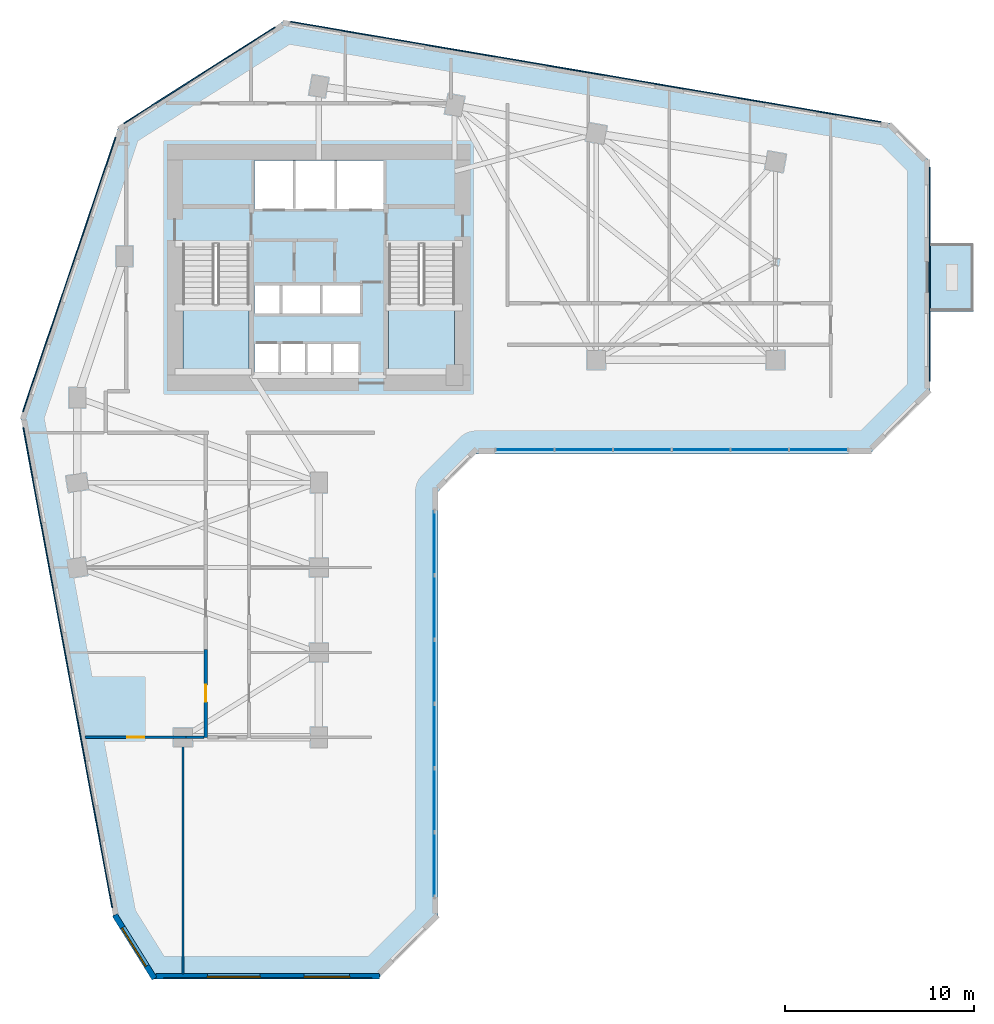
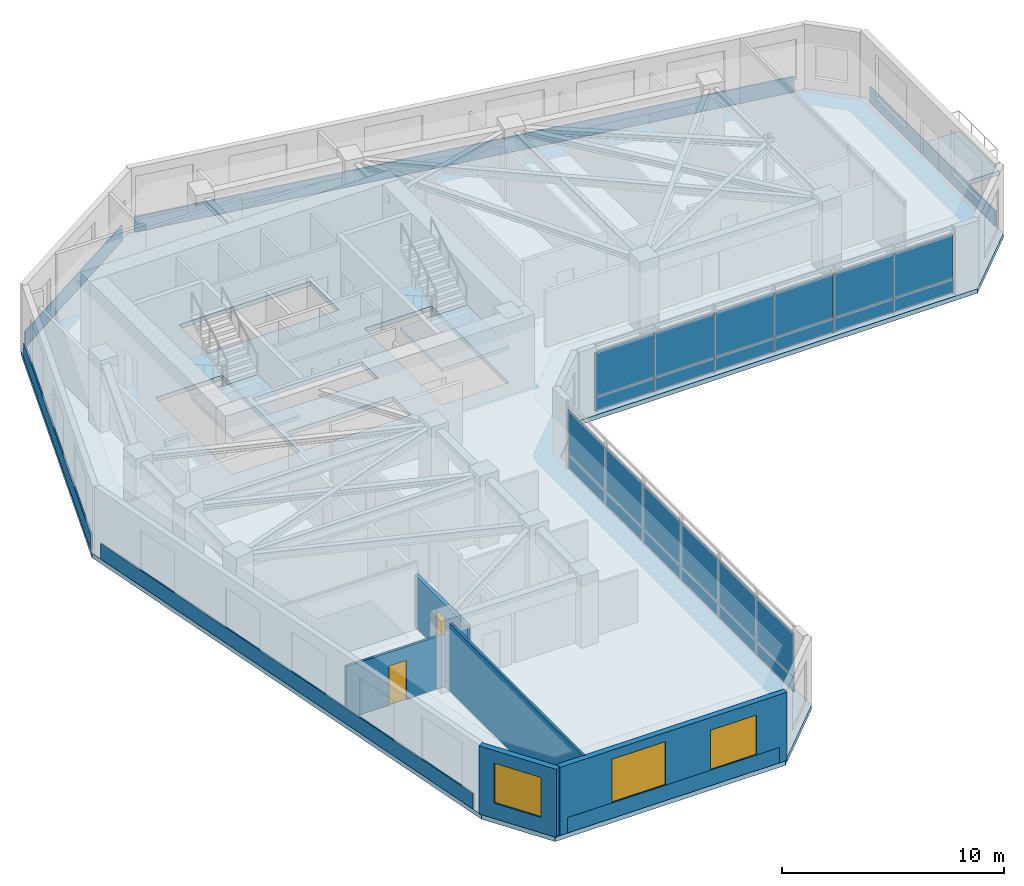
# One storey, part 4 of 11: 30 plates, 6 walls, 4 slabs, 3 windows, 2 doors, 5 openings, 4 elements without a shape of their own.
"""IFC4 building model written with IfcOpenShell, lengths in metres."""

from ifc_helpers import new_model, si_unit, direction, frame, frame_2d, origin, place, context, subcontext, project, spatial, polyline, rectangle, outline, extrude, source, transform, mapped, material, layer, layer_set, type_object, element, fill, aggregate, save


model = new_model("IFC4")

# Units and contexts
model_context = context("Model", 3, precision=1e-05, world=origin(), true_north=direction((0.0, 1.0)))
body_context = subcontext(model_context, "Body", "Model", "MODEL_VIEW")
ifc_project = project(units=[si_unit("LENGTHUNIT", "METRE"), si_unit("AREAUNIT", "SQUARE_METRE"), si_unit("VOLUMEUNIT", "CUBIC_METRE"), si_unit("PLANEANGLEUNIT", "RADIAN"), si_unit("MASSUNIT", "GRAM", prefix="KILO")], contexts=[model_context])

# Site, building, storey
site_placement = place(None, origin())
site = spatial("IfcSite", under=ifc_project, at=site_placement, CompositionType="ELEMENT")
building_placement = place(site_placement, origin())
building = spatial("IfcBuilding", under=site, at=building_placement, Name="Calvemar Wedge Station Tower", CompositionType="ELEMENT")
storey_placement = place(building_placement, frame((0.0, 0.0, 83.0)))
storey = spatial("IfcBuildingStorey", under=building, at=storey_placement, Name="L20", CompositionType="ELEMENT", Elevation=83.0)

# Curtain wall, plates
ifc_material_1 = material(Name="Anodised aluminium 6063-T6", Category="aluminium")
curtain_wall_type = type_object("IfcCurtainWallType", Name="CW1", PredefinedType="NOTDEFINED", material=ifc_material_1)
curtain_wall_1_placement = place(storey_placement, origin())
curtain_wall_1 = element("IfcCurtainWall", 1, at=curtain_wall_1_placement, inside=storey, type_object=curtain_wall_type, Name="Storey L20 CW1 Recessed Unitised Curtain Wall 4", PredefinedType="NOTDEFINED")
ifc_material_2 = material(Name="Low-E laminated insulated glass", Category="glass")
ifc_layer_1 = layer(ifc_material_2, 0.028076171875)
ifc_layer_set_1 = layer_set([ifc_layer_1], Name="Low-E laminated insulated glass")
plate_type_1 = type_object("IfcPlateType", Name="CW1-GLZ", PredefinedType="CURTAIN_PANEL", material=ifc_layer_set_1)
plate_1_placement = place(storey_placement, frame((29.91796875, 6.580078125, 0.8701171875), z_axis=(0.0, 0.0, 1.0), x_axis=(0.0, 1.0, 0.0)))
plate_1 = element("IfcPlate", 2, at=plate_1_placement, type_object=plate_type_1, Name="CW1 vision glass panel 1", PredefinedType="CURTAIN_PANEL", context=body_context, shape_type="SweptSolid", body=[
    extrude(rectangle(XDim=3.36865234375, YDim=0.028076171875, at=frame_2d((1.684326171875, 0.0))), origin(), (0.0, 0.0, 1.0), 2.409912109375),
])
plate_2_placement = place(storey_placement, frame((29.91796875, 9.98486328125, 0.8701171875), z_axis=(0.0, 0.0, 1.0), x_axis=(0.0, 1.0, 0.0)))
plate_2 = element("IfcPlate", 3, at=plate_2_placement, type_object=plate_type_1, Name="CW1 vision glass panel 2", PredefinedType="CURTAIN_PANEL", context=body_context, shape_type="SweptSolid", body=[
    extrude(rectangle(XDim=3.36865234375, YDim=0.028076171875, at=frame_2d((1.684326171875, 0.0))), origin(), (0.0, 0.0, 1.0), 2.409912109375),
])
plate_3_placement = place(storey_placement, frame((29.91796875, 13.389404296875, 0.8701171875), z_axis=(0.0, 0.0, 1.0), x_axis=(0.0, 1.0, 0.0)))
plate_3 = element("IfcPlate", 4, at=plate_3_placement, type_object=plate_type_1, Name="CW1 vision glass panel 3", PredefinedType="CURTAIN_PANEL", context=body_context, shape_type="SweptSolid", body=[
    extrude(rectangle(XDim=3.36865234375, YDim=0.028076171875, at=frame_2d((1.684326171875, 0.0))), origin(), (0.0, 0.0, 1.0), 2.409912109375),
])
plate_4_placement = place(storey_placement, frame((29.91796875, 16.794189453125, 0.8701171875), z_axis=(0.0, 0.0, 1.0), x_axis=(0.0, 1.0, 0.0)))
plate_4 = element("IfcPlate", 5, at=plate_4_placement, type_object=plate_type_1, Name="CW1 vision glass panel 4", PredefinedType="CURTAIN_PANEL", context=body_context, shape_type="SweptSolid", body=[
    extrude(rectangle(XDim=3.36865234375, YDim=0.028076171875, at=frame_2d((1.684326171875, 0.0))), origin(), (0.0, 0.0, 1.0), 2.409912109375),
])
plate_5_placement = place(storey_placement, frame((29.91796875, 20.19873046875, 0.8701171875), z_axis=(0.0, 0.0, 1.0), x_axis=(0.0, 1.0, 0.0)))
plate_5 = element("IfcPlate", 6, at=plate_5_placement, type_object=plate_type_1, Name="CW1 vision glass panel 5", PredefinedType="CURTAIN_PANEL", context=body_context, shape_type="SweptSolid", body=[
    extrude(rectangle(XDim=3.36865234375, YDim=0.028076171875, at=frame_2d((1.684326171875, 0.0))), origin(), (0.0, 0.0, 1.0), 2.409912109375),
])
plate_6_placement = place(storey_placement, frame((29.91796875, 23.603515625, 0.8701171875), z_axis=(0.0, 0.0, 1.0), x_axis=(0.0, 1.0, 0.0)))
plate_6 = element("IfcPlate", 7, at=plate_6_placement, type_object=plate_type_1, Name="CW1 vision glass panel 6", PredefinedType="CURTAIN_PANEL", context=body_context, shape_type="SweptSolid", body=[
    extrude(rectangle(XDim=3.36865234375, YDim=0.028076171875, at=frame_2d((1.684326171875, 0.0))), origin(), (0.0, 0.0, 1.0), 2.409912109375),
])

curtain_wall_2_placement = place(storey_placement, origin())
curtain_wall_2 = element("IfcCurtainWall", 8, at=curtain_wall_2_placement, inside=storey, type_object=curtain_wall_type, Name="Storey L20 CW1 Recessed Unitised Curtain Wall 6", PredefinedType="NOTDEFINED")
plate_7_placement = place(storey_placement, frame((33.183837890625, 30.238037109375, 0.8701171875), z_axis=(0.0, 0.0, 1.0), x_axis=(1.0, 0.0, 0.0)))
plate_7 = element("IfcPlate", 9, at=plate_7_placement, type_object=plate_type_1, Name="CW1 vision glass panel 1", PredefinedType="CURTAIN_PANEL", context=body_context, shape_type="SweptSolid", body=[
    extrude(rectangle(XDim=3.076171875, YDim=0.028076171875, at=frame_2d((1.5380859375, 0.0))), origin(), (0.0, 0.0, 1.0), 2.409912109375),
])
plate_8_placement = place(storey_placement, frame((36.2958984375, 30.238037109375, 0.8701171875), z_axis=(0.0, 0.0, 1.0), x_axis=(1.0, 0.0, 0.0)))
plate_8 = element("IfcPlate", 10, at=plate_8_placement, type_object=plate_type_1, Name="CW1 vision glass panel 2", PredefinedType="CURTAIN_PANEL", context=body_context, shape_type="SweptSolid", body=[
    extrude(rectangle(XDim=3.075927734375, YDim=0.028076171875, at=frame_2d((1.5380859375, 0.0))), origin(), (0.0, 0.0, 1.0), 2.409912109375),
])
plate_9_placement = place(storey_placement, frame((39.407958984375, 30.238037109375, 0.8701171875), z_axis=(0.0, 0.0, 1.0), x_axis=(1.0, 0.0, 0.0)))
plate_9 = element("IfcPlate", 11, at=plate_9_placement, type_object=plate_type_1, Name="CW1 vision glass panel 3", PredefinedType="CURTAIN_PANEL", context=body_context, shape_type="SweptSolid", body=[
    extrude(rectangle(XDim=3.075927734375, YDim=0.028076171875, at=frame_2d((1.5380859375, 0.0))), origin(), (0.0, 0.0, 1.0), 2.409912109375),
])
plate_10_placement = place(storey_placement, frame((42.52001953125, 30.238037109375, 0.8701171875), z_axis=(0.0, 0.0, 1.0), x_axis=(1.0, 0.0, 0.0)))
plate_10 = element("IfcPlate", 12, at=plate_10_placement, type_object=plate_type_1, Name="CW1 vision glass panel 4", PredefinedType="CURTAIN_PANEL", context=body_context, shape_type="SweptSolid", body=[
    extrude(rectangle(XDim=3.075927734375, YDim=0.028076171875, at=frame_2d((1.5380859375, 0.0))), origin(), (0.0, 0.0, 1.0), 2.409912109375),
])
plate_11_placement = place(storey_placement, frame((45.6318359375, 30.238037109375, 0.8701171875), z_axis=(0.0, 0.0, 1.0), x_axis=(1.0, 0.0, 0.0)))
plate_11 = element("IfcPlate", 13, at=plate_11_placement, type_object=plate_type_1, Name="CW1 vision glass panel 5", PredefinedType="CURTAIN_PANEL", context=body_context, shape_type="SweptSolid", body=[
    extrude(rectangle(XDim=3.076171875, YDim=0.028076171875, at=frame_2d((1.5380859375, 0.0))), origin(), (0.0, 0.0, 1.0), 2.409912109375),
])
plate_12_placement = place(storey_placement, frame((48.743896484375, 30.238037109375, 0.8701171875), z_axis=(0.0, 0.0, 1.0), x_axis=(1.0, 0.0, 0.0)))
plate_12 = element("IfcPlate", 14, at=plate_12_placement, type_object=plate_type_1, Name="CW1 vision glass panel 6", PredefinedType="CURTAIN_PANEL", context=body_context, shape_type="SweptSolid", body=[
    extrude(rectangle(XDim=3.075927734375, YDim=0.028076171875, at=frame_2d((1.5380859375, 0.0))), origin(), (0.0, 0.0, 1.0), 2.409912109375),
])

# Plate
ifc_material_3 = material(Name="Oxidized bronze aluminium spandrel panel 5005-H24", Category="aluminium")
ifc_layer_2 = layer(ifc_material_3, 0.0400390625)
ifc_layer_set_2 = layer_set([ifc_layer_2], Name="Oxidized bronze aluminium spandrel panel 5005-H24")
plate_type_2 = type_object("IfcPlateType", Name="CW1-SPD", PredefinedType="SHEET", material=ifc_layer_set_2)
plate_13_placement = place(storey_placement, frame((29.91796875, 6.580078125, 0.080078125), z_axis=(0.0, 0.0, 1.0), x_axis=(0.0, 1.0, 0.0)))
plate_13 = element("IfcPlate", 15, at=plate_13_placement, type_object=plate_type_2, Name="CW1 bronze spandrel panel 1", PredefinedType="SHEET", context=body_context, shape_type="SweptSolid", body=[
    extrude(rectangle(XDim=3.36865234375, YDim=0.0400390625, at=frame_2d((1.684326171875, 0.0))), origin(), (0.0, 0.0, 1.0), 0.75),
])

plate_14_placement = place(storey_placement, frame((29.91796875, 9.98486328125, 0.080078125), z_axis=(0.0, 0.0, 1.0), x_axis=(0.0, 1.0, 0.0)))
plate_14 = element("IfcPlate", 16, at=plate_14_placement, type_object=plate_type_2, Name="CW1 bronze spandrel panel 2", PredefinedType="SHEET", context=body_context, shape_type="SweptSolid", body=[
    extrude(rectangle(XDim=3.36865234375, YDim=0.0400390625, at=frame_2d((1.684326171875, 0.0))), origin(), (0.0, 0.0, 1.0), 0.75),
])

plate_15_placement = place(storey_placement, frame((29.91796875, 13.389404296875, 0.080078125), z_axis=(0.0, 0.0, 1.0), x_axis=(0.0, 1.0, 0.0)))
plate_15 = element("IfcPlate", 17, at=plate_15_placement, type_object=plate_type_2, Name="CW1 bronze spandrel panel 3", PredefinedType="SHEET", context=body_context, shape_type="SweptSolid", body=[
    extrude(rectangle(XDim=3.36865234375, YDim=0.0400390625, at=frame_2d((1.684326171875, 0.0))), origin(), (0.0, 0.0, 1.0), 0.75),
])

plate_16_placement = place(storey_placement, frame((29.91796875, 16.794189453125, 0.080078125), z_axis=(0.0, 0.0, 1.0), x_axis=(0.0, 1.0, 0.0)))
plate_16 = element("IfcPlate", 18, at=plate_16_placement, type_object=plate_type_2, Name="CW1 bronze spandrel panel 4", PredefinedType="SHEET", context=body_context, shape_type="SweptSolid", body=[
    extrude(rectangle(XDim=3.36865234375, YDim=0.0400390625, at=frame_2d((1.684326171875, 0.0))), origin(), (0.0, 0.0, 1.0), 0.75),
])

plate_17_placement = place(storey_placement, frame((29.91796875, 20.19873046875, 0.080078125), z_axis=(0.0, 0.0, 1.0), x_axis=(0.0, 1.0, 0.0)))
plate_17 = element("IfcPlate", 19, at=plate_17_placement, type_object=plate_type_2, Name="CW1 bronze spandrel panel 5", PredefinedType="SHEET", context=body_context, shape_type="SweptSolid", body=[
    extrude(rectangle(XDim=3.36865234375, YDim=0.0400390625, at=frame_2d((1.684326171875, 0.0))), origin(), (0.0, 0.0, 1.0), 0.75),
])

plate_18_placement = place(storey_placement, frame((29.91796875, 23.603515625, 0.080078125), z_axis=(0.0, 0.0, 1.0), x_axis=(0.0, 1.0, 0.0)))
plate_18 = element("IfcPlate", 20, at=plate_18_placement, type_object=plate_type_2, Name="CW1 bronze spandrel panel 6", PredefinedType="SHEET", context=body_context, shape_type="SweptSolid", body=[
    extrude(rectangle(XDim=3.36865234375, YDim=0.0400390625, at=frame_2d((1.684326171875, 0.0))), origin(), (0.0, 0.0, 1.0), 0.75),
])

aggregate(curtain_wall_1, [plate_13, plate_1, plate_14, plate_2, plate_15, plate_3, plate_16, plate_4, plate_17, plate_5, plate_18, plate_6])

plate_19_placement = place(storey_placement, frame((33.183837890625, 30.238037109375, 0.080078125), z_axis=(0.0, 0.0, 1.0), x_axis=(1.0, 0.0, 0.0)))
plate_19 = element("IfcPlate", 21, at=plate_19_placement, type_object=plate_type_2, Name="CW1 bronze spandrel panel 1", PredefinedType="SHEET", context=body_context, shape_type="SweptSolid", body=[
    extrude(rectangle(XDim=3.076171875, YDim=0.0400390625, at=frame_2d((1.5380859375, 0.0))), origin(), (0.0, 0.0, 1.0), 0.75),
])

plate_20_placement = place(storey_placement, frame((36.2958984375, 30.238037109375, 0.080078125), z_axis=(0.0, 0.0, 1.0), x_axis=(1.0, 0.0, 0.0)))
plate_20 = element("IfcPlate", 22, at=plate_20_placement, type_object=plate_type_2, Name="CW1 bronze spandrel panel 2", PredefinedType="SHEET", context=body_context, shape_type="SweptSolid", body=[
    extrude(rectangle(XDim=3.075927734375, YDim=0.0400390625, at=frame_2d((1.5380859375, 0.0))), origin(), (0.0, 0.0, 1.0), 0.75),
])

plate_21_placement = place(storey_placement, frame((39.407958984375, 30.238037109375, 0.080078125), z_axis=(0.0, 0.0, 1.0), x_axis=(1.0, 0.0, 0.0)))
plate_21 = element("IfcPlate", 23, at=plate_21_placement, type_object=plate_type_2, Name="CW1 bronze spandrel panel 3", PredefinedType="SHEET", context=body_context, shape_type="SweptSolid", body=[
    extrude(rectangle(XDim=3.075927734375, YDim=0.0400390625, at=frame_2d((1.5380859375, 0.0))), origin(), (0.0, 0.0, 1.0), 0.75),
])

plate_22_placement = place(storey_placement, frame((42.52001953125, 30.238037109375, 0.080078125), z_axis=(0.0, 0.0, 1.0), x_axis=(1.0, 0.0, 0.0)))
plate_22 = element("IfcPlate", 24, at=plate_22_placement, type_object=plate_type_2, Name="CW1 bronze spandrel panel 4", PredefinedType="SHEET", context=body_context, shape_type="SweptSolid", body=[
    extrude(rectangle(XDim=3.075927734375, YDim=0.0400390625, at=frame_2d((1.5380859375, 0.0))), origin(), (0.0, 0.0, 1.0), 0.75),
])

plate_23_placement = place(storey_placement, frame((45.6318359375, 30.238037109375, 0.080078125), z_axis=(0.0, 0.0, 1.0), x_axis=(1.0, 0.0, 0.0)))
plate_23 = element("IfcPlate", 25, at=plate_23_placement, type_object=plate_type_2, Name="CW1 bronze spandrel panel 5", PredefinedType="SHEET", context=body_context, shape_type="SweptSolid", body=[
    extrude(rectangle(XDim=3.076171875, YDim=0.0400390625, at=frame_2d((1.5380859375, 0.0))), origin(), (0.0, 0.0, 1.0), 0.75),
])

plate_24_placement = place(storey_placement, frame((48.743896484375, 30.238037109375, 0.080078125), z_axis=(0.0, 0.0, 1.0), x_axis=(1.0, 0.0, 0.0)))
plate_24 = element("IfcPlate", 26, at=plate_24_placement, type_object=plate_type_2, Name="CW1 bronze spandrel panel 6", PredefinedType="SHEET", context=body_context, shape_type="SweptSolid", body=[
    extrude(rectangle(XDim=3.075927734375, YDim=0.0400390625, at=frame_2d((1.5380859375, 0.0))), origin(), (0.0, 0.0, 1.0), 0.75),
])

aggregate(curtain_wall_2, [plate_19, plate_7, plate_20, plate_8, plate_21, plate_9, plate_22, plate_10, plate_23, plate_11, plate_24, plate_12])

# Plates
ifc_material_4 = material(Name="Precast concrete C45", Category="concrete")
ifc_layer_3 = layer(ifc_material_4, 0.06494140625)
ifc_layer_set_3 = layer_set([ifc_layer_3], Name="Precast concrete C45")
plate_type_3 = type_object("IfcPlateType", Name="PL-GFRC-FIN", PredefinedType="USERDEFINED", material=ifc_layer_set_3)
plate_25_placement = place(storey_placement, frame((15.57373046875, 2.22998046875, 0.0), z_axis=(0.0, 0.0, 1.0), x_axis=(1.0, 0.0, 0.0)))
element("IfcPlate", 27, at=plate_25_placement, inside=storey, type_object=plate_type_3, Name="Storey L20 Oxidized-Bronze GFRC Spandrel Cladding 2", ObjectType="CLADDING PANEL", PredefinedType="USERDEFINED", context=body_context, shape_type="SweptSolid", body=[
    extrude(rectangle(XDim=11.042236328125, YDim=0.06494140625, at=frame_2d((5.52099609375, 0.0))), origin(), (0.0, 0.0, 1.0), 0.85009765625),
])
plate_26_placement = place(storey_placement, frame((56.169921875, 33.88525390625, 0.0), z_axis=(0.0, 0.0, 1.0), x_axis=(0.0, 1.0, 0.0)))
element("IfcPlate", 28, at=plate_26_placement, inside=storey, type_object=plate_type_3, Name="Storey L20 Oxidized-Bronze GFRC Spandrel Cladding 8", ObjectType="CLADDING PANEL", PredefinedType="USERDEFINED", context=body_context, shape_type="SweptSolid", body=[
    extrude(rectangle(XDim=11.33056640625, YDim=0.06494140625, at=frame_2d((5.665283203125, 0.0))), origin(), (0.0, 0.0, 1.0), 0.85009765625),
])
plate_27_placement = place(storey_placement, frame((53.586669921875, 47.601806640625, 0.0), z_axis=(0.0, 0.0, 1.0), x_axis=(-0.985865619109, 0.16753799885, 0.0)))
element("IfcPlate", 29, at=plate_27_placement, inside=storey, type_object=plate_type_3, Name="Storey L20 Oxidized-Bronze GFRC Spandrel Cladding 10", ObjectType="CLADDING PANEL", PredefinedType="USERDEFINED", context=body_context, shape_type="SweptSolid", body=[
    extrude(rectangle(XDim=31.73681640625, YDim=0.06494140625, at=frame_2d((15.868408203125, 0.0))), origin(), (0.0, 0.0, 1.0), 0.85009765625),
])
plate_28_placement = place(storey_placement, frame((21.472900390625, 52.62890625, 0.0), z_axis=(0.0, 0.0, 1.0), x_axis=(-0.843667847652, -0.536865497903, 0.0)))
element("IfcPlate", 30, at=plate_28_placement, inside=storey, type_object=plate_type_3, Name="Storey L20 Oxidized-Bronze GFRC Spandrel Cladding 11", ObjectType="CLADDING PANEL", PredefinedType="USERDEFINED", context=body_context, shape_type="SweptSolid", body=[
    extrude(rectangle(XDim=9.48388671875, YDim=0.06494140625, at=frame_2d((4.741943359375, 0.0))), origin(), (0.0, 0.0, 1.0), 0.85009765625),
])
plate_29_placement = place(storey_placement, frame((13.02685546875, 46.793212890625, 0.0), z_axis=(0.0, 0.0, 1.0), x_axis=(-0.319926926958, -0.947442220617, 0.0)))
element("IfcPlate", 31, at=plate_29_placement, inside=storey, type_object=plate_type_3, Name="Storey L20 Oxidized-Bronze GFRC Spandrel Cladding 12", ObjectType="CLADDING PANEL", PredefinedType="USERDEFINED", context=body_context, shape_type="SweptSolid", body=[
    extrude(rectangle(XDim=15.334716796875, YDim=0.06494140625, at=frame_2d((7.66748046875, 0.0))), origin(), (0.0, 0.0, 1.0), 0.85009765625),
])
plate_30_placement = place(storey_placement, frame((8.13818359375, 31.41845703125, 0.0), z_axis=(0.0, 0.0, 1.0), x_axis=(0.182161215884, -0.983268677131, 0.0)))
element("IfcPlate", 32, at=plate_30_placement, inside=storey, type_object=plate_type_3, Name="Storey L20 Oxidized-Bronze GFRC Spandrel Cladding 13", ObjectType="CLADDING PANEL", PredefinedType="USERDEFINED", context=body_context, shape_type="SweptSolid", body=[
    extrude(rectangle(XDim=25.87890625, YDim=0.06494140625, at=frame_2d((12.939453125, 0.0))), origin(), (0.0, 0.0, 1.0), 0.85009765625),
])

# Stair, slab
ifc_material_5 = material(Name="Concrete C45", Category="concrete")
stair_type = type_object("IfcStairType", Name="ST-TYPE-4000", PredefinedType="HALF_TURN_STAIR", material=ifc_material_5)
stair_1_placement = place(storey_placement, origin())
stair_1 = element("IfcStair", 33, at=stair_1_placement, inside=storey, type_object=stair_type, Name="L20 Pressurized Core Exit Stair ST-C1", PredefinedType="HALF_TURN_STAIR")
ifc_layer_4 = layer(ifc_material_5, 0.199951171875)
ifc_layer_set_4 = layer_set([ifc_layer_4], Name="Concrete C45")
slab_type_1 = type_object("IfcSlabType", Name="SL-STAIR-LND-200", PredefinedType="LANDING", material=ifc_layer_set_4)
slab_1_placement = place(storey_placement, frame((0.0, 0.0, 1.800048828125)))
slab_1 = element("IfcSlab", 34, at=slab_1_placement, type_object=slab_type_1, Name="ST-C1 landing 1", PredefinedType="LANDING", context=body_context, shape_type="SweptSolid", body=[
    extrude(outline(polyline([(16.60009765625, 37.9599609375), (16.60009765625, 34.199951171875), (20.10009765625, 34.199951171875), (20.10009765625, 37.9599609375), (16.60009765625, 37.9599609375)])), origin(), (0.0, 0.0, 1.0), 0.199951171875),
])
aggregate(stair_1, [slab_1])

stair_2_placement = place(storey_placement, origin())
stair_2 = element("IfcStair", 35, at=stair_2_placement, inside=storey, type_object=stair_type, Name="L20 Pressurized Core Exit Stair ST-C2", PredefinedType="HALF_TURN_STAIR")
slab_2_placement = place(storey_placement, frame((0.0, 0.0, 1.800048828125)))
slab_2 = element("IfcSlab", 36, at=slab_2_placement, type_object=slab_type_1, Name="ST-C2 landing 1", PredefinedType="LANDING", context=body_context, shape_type="SweptSolid", body=[
    extrude(outline(polyline([(27.5, 37.9599609375), (27.5, 34.199951171875), (31.0, 34.199951171875), (31.0, 37.9599609375), (27.5, 37.9599609375)])), origin(), (0.0, 0.0, 1.0), 0.199951171875),
])
aggregate(stair_2, [slab_2])

# Slabs
ifc_layer_5 = layer(ifc_material_5, 0.239990234375)
ifc_layer_set_5 = layer_set([ifc_layer_5], Name="Concrete C45")
slab_type_2 = type_object("IfcSlabType", Name="SL-TERR-240", PredefinedType="FLOOR", material=ifc_layer_set_5)
slab_3_placement = place(storey_placement, frame((0.0, 0.0, -0.239990234375)))
element("IfcSlab", 37, at=slab_3_placement, inside=storey, type_object=slab_type_2, Name="Storey L20 Planted Spiral Terrace Slab", PredefinedType="FLOOR", context=body_context, shape_type="SweptSolid", body=[
    extrude(outline(polyline([(56.199951171875, 37.577880859375), (58.5, 37.577880859375), (58.5, 41.177978515625), (56.199951171875, 41.177978515625), (56.199951171875, 37.577880859375)])), origin(), (0.0, 0.0, 1.0), 0.239990234375),
])
ifc_material_6 = material(Name="Concrete C50", Category="concrete")
ifc_layer_6 = layer(ifc_material_6, 0.25)
ifc_layer_set_6 = layer_set([ifc_layer_6], Name="Concrete C50")
slab_type_3 = type_object("IfcSlabType", Name="SL-TYP-250", PredefinedType="FLOOR", material=ifc_layer_set_6)
slab_4_placement = place(storey_placement, frame((0.0, 0.0, -0.25)))
element("IfcSlab", 38, at=slab_4_placement, inside=storey, type_object=slab_type_3, Name="Storey L20 Structural Floor Slab", PredefinedType="FLOOR", context=body_context, shape_type="SweptSolid", body=[
    extrude(outline(polyline([(8.0, 32.0), (12.927978515625, 5.39990234375), (14.927978515625, 2.199951171875), (26.927978515625, 2.199951171875), (30.1279296875, 5.39990234375), (30.1279296875, 28.028076171875), (32.1279296875, 30.028076171875), (53.0, 30.028076171875), (56.199951171875, 33.22802734375), (56.199951171875, 45.528076171875), (54.199951171875, 47.528076171875), (22.0, 53.0), (13.199951171875, 47.39990234375), (8.0, 32.0)]), holes=[polyline([(21.739990234375, 35.85009765625), (21.72998046875, 35.85009765625), (20.3798828125, 35.85009765625), (20.3798828125, 34.219970703125), (21.72998046875, 34.219970703125), (21.739990234375, 34.219970703125), (23.1201171875, 34.219970703125), (23.1298828125, 34.219970703125), (24.510009765625, 34.219970703125), (24.52001953125, 34.219970703125), (25.909912109375, 34.219970703125), (25.909912109375, 35.85009765625), (24.52001953125, 35.85009765625), (24.510009765625, 35.85009765625), (23.1298828125, 35.85009765625), (23.1201171875, 35.85009765625), (21.739990234375, 35.85009765625)]), polyline([(16.60009765625, 41.14990234375), (16.60009765625, 34.199951171875), (20.10009765625, 34.199951171875), (20.10009765625, 41.14990234375), (16.60009765625, 41.14990234375)]), polyline([(27.5, 34.199951171875), (31.0, 34.199951171875), (31.0, 41.14990234375), (27.5, 41.14990234375), (27.5, 34.199951171875)]), polyline([(21.7900390625, 37.449951171875), (21.800048828125, 37.449951171875), (23.929931640625, 37.449951171875), (23.93994140625, 37.449951171875), (26.080078125, 37.449951171875), (26.080078125, 38.949951171875), (23.93994140625, 38.949951171875), (23.929931640625, 38.949951171875), (21.800048828125, 38.949951171875), (21.7900390625, 38.949951171875), (20.3798828125, 38.949951171875), (20.3798828125, 37.449951171875), (21.7900390625, 37.449951171875)]), polyline([(20.3798828125, 43.0), (27.219970703125, 43.0), (27.219970703125, 45.580078125), (20.3798828125, 45.580078125), (20.3798828125, 43.0)])]), origin(), (0.0, 0.0, 1.0), 0.25),
])

# Wall, opening, door
ifc_material_7 = material(Name="Double-stud fire-rated corridor partition")
ifc_layer_7 = layer(ifc_material_7, 0.179931640625)
ifc_layer_set_7 = layer_set([ifc_layer_7], Name="Double-stud fire-rated corridor partition")
wall_type_1 = type_object("IfcWallType", Name="W-CORR-180", PredefinedType="PARTITIONING", material=ifc_layer_set_7)
wall_1_placement = place(storey_placement, frame((17.800048828125, 15.0, 0.0), z_axis=(0.0, 0.0, 1.0), x_axis=(0.0, 1.0, 0.0)))
wall_1 = element("IfcWall", 39, at=wall_1_placement, inside=storey, type_object=wall_type_1, Name="Storey L20 Interior Partition WL-L20-031", PredefinedType="PARTITIONING", context=body_context, shape_type="SweptSolid", body=[
    extrude(rectangle(XDim=4.659912109375, YDim=0.179931640625, at=frame_2d((2.330078125, 0.0))), origin(), (0.0, 0.0, 1.0), 2.89208984375),
])
shared_shape_1 = source(origin(), body_context, "Body", "SweptSolid", [
    extrude(rectangle(XDim=0.89990234375, YDim=2.14990234375, at=frame_2d((0.449951171875, 1.074951171875))), frame((0.0, 0.10009765625, 0.0), z_axis=(0.0, -1.0, 0.0), x_axis=(1.0, 0.0, 0.0)), (0.0, 0.0, 1.0), 0.199951171875),
])
opening_1_placement = place(wall_1_placement, frame((1.8798828125, 0.0, 0.0)))
opening_1 = element("IfcOpeningElement", 40, at=opening_1_placement, cuts=wall_1, Name="Opening D-01", PredefinedType="OPENING", context=body_context, shape_type="MappedRepresentation", body=[
    mapped(shared_shape_1, transform((0.0, 0.0, 0.0), scale=1.0)),
])
ifc_material_8 = material(Name="Architectural hardwood acoustic swing door", Category="wood")
door_type = type_object("IfcDoorType", Name="DR-INT-900", OperationType="NOTDEFINED", PredefinedType="DOOR", material=ifc_material_8)
shared_shape_2 = source(origin(), body_context, "Body", "SweptSolid", [
    extrude(rectangle(XDim=0.89990234375, YDim=2.14990234375, at=frame_2d((0.449951171875, 1.074951171875))), frame((0.0, 0.02490234375, 0.0), z_axis=(0.0, -1.0, 0.0), x_axis=(1.0, 0.0, 0.0)), (0.0, 0.0, 1.0), 0.050048828125),
])
door_1_placement = place(opening_1_placement, origin())
door_1 = element("IfcDoor", 41, at=door_1_placement, inside=storey, type_object=door_type, Name="L20 Office Door", OperationType="SINGLE_SWING_LEFT", OverallHeight=2.14990234375, OverallWidth=0.89990234375, PredefinedType="DOOR", context=body_context, shape_type="MappedRepresentation", body=[
    mapped(shared_shape_2, transform((0.0, 0.0, 0.0), scale=1.0)),
])
fill(opening_1, door_1)

# Wall, opening, window
ifc_layer_8 = layer(ifc_material_4, 0.300048828125)
ifc_layer_set_8 = layer_set([ifc_layer_8], Name="Precast concrete C45")
wall_type_2 = type_object("IfcWallType", Name="W-EXT-GFRC-300", PredefinedType="SOLIDWALL", material=ifc_layer_set_8)
wall_2_placement = place(storey_placement, frame((12.99072265625, 5.58251953125, 0.0), z_axis=(0.0, 0.0, 1.0), x_axis=(0.530015557218, -0.847987918019, 0.0)))
wall_2 = element("IfcWall", 42, at=wall_2_placement, inside=storey, type_object=wall_type_2, Name="Storey L20 Bronze GFRC Exterior Wall 1", PredefinedType="SOLIDWALL", context=body_context, shape_type="SweptSolid", body=[
    extrude(rectangle(XDim=3.9619140625, YDim=0.300048828125, at=frame_2d((1.98095703125, 0.0))), origin(), (0.0, 0.0, 1.0), 3.75),
])
shared_shape_3 = source(origin(), body_context, "Body", "SweptSolid", [
    extrude(rectangle(XDim=2.39990234375, YDim=2.199951171875, at=frame_2d((1.199951171875, 1.10009765625))), frame((0.0, 0.16015625, 0.0), z_axis=(0.0, -1.0, 0.0), x_axis=(1.0, 0.0, 0.0)), (0.0, 0.0, 1.0), 0.320068359375),
])
opening_2_placement = place(wall_2_placement, frame((0.781005859375, 0.0, 0.85009765625)))
opening_2 = element("IfcOpeningElement", 43, at=opening_2_placement, cuts=wall_2, Name="Opening W1", PredefinedType="OPENING", context=body_context, shape_type="MappedRepresentation", body=[
    mapped(shared_shape_3, transform((0.0, 0.0, 0.0), scale=1.0)),
])
window_type_1 = type_object("IfcWindowType", Name="WIN-EXT-1", PartitioningType="SINGLE_PANEL", PredefinedType="WINDOW", material=ifc_material_2)
shared_shape_4 = source(origin(), body_context, "Body", "SweptSolid", [
    extrude(rectangle(XDim=2.39990234375, YDim=2.199951171875, at=frame_2d((1.199951171875, 1.10009765625))), frame((0.0, -0.014892578125, 0.0), z_axis=(0.0, -1.0, 0.0), x_axis=(1.0, 0.0, 0.0)), (0.0, 0.0, 1.0), 0.06005859375),
])
window_1_placement = place(opening_2_placement, origin())
window_1 = element("IfcWindow", 44, at=window_1_placement, inside=storey, type_object=window_type_1, Name="Storey L20 Recessed Window 1.1", OverallHeight=2.199951171875, OverallWidth=2.39990234375, PartitioningType="SINGLE_PANEL", PredefinedType="WINDOW", context=body_context, shape_type="MappedRepresentation", body=[
    mapped(shared_shape_4, transform((0.0, 0.0, 0.0), scale=1.0)),
])
fill(opening_2, window_1)

# Wall, openings, windows
wall_3_placement = place(storey_placement, frame((15.173828125, 2.35009765625, 0.0), z_axis=(0.0, 0.0, 1.0), x_axis=(1.0, 0.0, 0.0)))
wall_3 = element("IfcWall", 45, at=wall_3_placement, inside=storey, type_object=wall_type_2, Name="Storey L20 Bronze GFRC Exterior Wall 2", PredefinedType="SOLIDWALL", context=body_context, shape_type="SweptSolid", body=[
    extrude(rectangle(XDim=11.842041015625, YDim=0.300048828125, at=frame_2d((5.9208984375, 0.0))), origin(), (0.0, 0.0, 1.0), 3.75),
])
shared_shape_5 = source(origin(), body_context, "Body", "SweptSolid", [
    extrude(rectangle(XDim=2.800048828125, YDim=2.39990234375, at=frame_2d((1.39990234375, 1.199951171875))), frame((0.0, 0.16015625, 0.0), z_axis=(0.0, -1.0, 0.0), x_axis=(1.0, 0.0, 0.0)), (0.0, 0.0, 1.0), 0.320068359375),
])
opening_3_placement = place(wall_3_placement, frame((2.715087890625, 0.0, 0.85009765625)))
opening_3 = element("IfcOpeningElement", 46, at=opening_3_placement, cuts=wall_3, Name="Opening W6", PredefinedType="OPENING", context=body_context, shape_type="MappedRepresentation", body=[
    mapped(shared_shape_5, transform((0.0, 0.0, 0.0), scale=1.0)),
])
opening_4_placement = place(wall_3_placement, frame((7.85302734375, 0.0, 0.85009765625)))
opening_4 = element("IfcOpeningElement", 47, at=opening_4_placement, cuts=wall_3, Name="Opening W1", PredefinedType="OPENING", context=body_context, shape_type="MappedRepresentation", body=[
    mapped(shared_shape_3, transform((0.0, 0.0, 0.0), scale=1.0)),
])
window_type_2 = type_object("IfcWindowType", Name="WIN-EXT-6", PartitioningType="SINGLE_PANEL", PredefinedType="WINDOW", material=ifc_material_2)
shared_shape_6 = source(origin(), body_context, "Body", "SweptSolid", [
    extrude(rectangle(XDim=2.800048828125, YDim=2.39990234375, at=frame_2d((1.39990234375, 1.199951171875))), frame((0.0, -0.014892578125, 0.0), z_axis=(0.0, -1.0, 0.0), x_axis=(1.0, 0.0, 0.0)), (0.0, 0.0, 1.0), 0.06005859375),
])
window_2_placement = place(opening_3_placement, origin())
window_2 = element("IfcWindow", 48, at=window_2_placement, inside=storey, type_object=window_type_2, Name="Storey L20 Recessed Window 2.1", OverallHeight=2.39990234375, OverallWidth=2.800048828125, PartitioningType="SINGLE_PANEL", PredefinedType="WINDOW", context=body_context, shape_type="MappedRepresentation", body=[
    mapped(shared_shape_6, transform((0.0, 0.0, 0.0), scale=1.0)),
])
fill(opening_3, window_2)
window_3_placement = place(opening_4_placement, origin())
window_3 = element("IfcWindow", 49, at=window_3_placement, inside=storey, type_object=window_type_1, Name="Storey L20 Recessed Window 2.2", OverallHeight=2.199951171875, OverallWidth=2.39990234375, PartitioningType="SINGLE_PANEL", PredefinedType="WINDOW", context=body_context, shape_type="MappedRepresentation", body=[
    mapped(shared_shape_4, transform((0.0, 0.0, 0.0), scale=1.0)),
])
fill(opening_4, window_3)

# Wall, opening, door
ifc_material_9 = material(Name="Insulated acoustic gypsum stud partition")
ifc_layer_9 = layer(ifc_material_9, 0.125)
ifc_layer_set_9 = layer_set([ifc_layer_9], Name="Insulated acoustic gypsum stud partition")
wall_type_3 = type_object("IfcWallType", Name="W-PART-125", PredefinedType="PARTITIONING", material=ifc_layer_set_9)
wall_4_placement = place(storey_placement, frame((16.760009765625, 15.0, 0.0), z_axis=(0.0, 0.0, 1.0), x_axis=(-1.0, 0.0, 0.0)))
wall_4 = element("IfcWall", 50, at=wall_4_placement, inside=storey, type_object=wall_type_3, Name="Storey L20 Interior Partition WL-L20-039", PredefinedType="PARTITIONING", context=body_context, shape_type="SweptSolid", body=[
    extrude(rectangle(XDim=5.341064453125, YDim=0.125, at=frame_2d((2.67041015625, 0.0))), origin(), (0.0, 0.0, 1.0), 2.89208984375),
])
shared_shape_7 = source(origin(), body_context, "Body", "SweptSolid", [
    extrude(rectangle(XDim=0.89990234375, YDim=2.14990234375, at=frame_2d((0.449951171875, 1.074951171875))), frame((0.0, 0.072509765625, 0.0), z_axis=(0.0, -1.0, 0.0), x_axis=(1.0, 0.0, 0.0)), (0.0, 0.0, 1.0), 0.14501953125),
])
opening_5_placement = place(wall_4_placement, frame((2.220458984375, 0.0, 0.0)))
opening_5 = element("IfcOpeningElement", 51, at=opening_5_placement, cuts=wall_4, Name="Opening D-01", PredefinedType="OPENING", context=body_context, shape_type="MappedRepresentation", body=[
    mapped(shared_shape_7, transform((0.0, 0.0, 0.0), scale=1.0)),
])
door_2_placement = place(opening_5_placement, origin())
door_2 = element("IfcDoor", 52, at=door_2_placement, inside=storey, type_object=door_type, Name="L20 Office Door", OperationType="SINGLE_SWING_LEFT", OverallHeight=2.14990234375, OverallWidth=0.89990234375, PredefinedType="DOOR", context=body_context, shape_type="MappedRepresentation", body=[
    mapped(shared_shape_2, transform((0.0, 0.0, 0.0), scale=1.0)),
])
fill(opening_5, door_2)

# Walls
wall_5_placement = place(storey_placement, frame((17.7060546875, 15.0, 0.0), z_axis=(0.0, 0.0, 1.0), x_axis=(-1.0, 0.0, 0.0)))
element("IfcWall", 53, at=wall_5_placement, inside=storey, type_object=wall_type_3, Name="Storey L20 Interior Partition WL-L20-040", PredefinedType="PARTITIONING", context=body_context, shape_type="SweptSolid", body=[
    extrude(rectangle(XDim=0.944091796875, YDim=0.125, at=frame_2d((0.47216796875, 0.0))), origin(), (0.0, 0.0, 1.0), 2.89208984375),
])
wall_6_placement = place(storey_placement, frame((16.60009765625, 14.93359375, 0.0), z_axis=(0.0, 0.0, 1.0), x_axis=(0.0, -1.0, 0.0)))
element("IfcWall", 54, at=wall_6_placement, inside=storey, type_object=wall_type_3, Name="Storey L20 Interior Partition WL-L20-045", PredefinedType="PARTITIONING", context=body_context, shape_type="SweptSolid", body=[
    extrude(rectangle(XDim=12.468505859375, YDim=0.125, at=frame_2d((6.234375, 0.0))), origin(), (0.0, 0.0, 1.0), 3.75),
])

save(model, "model.ifc")
